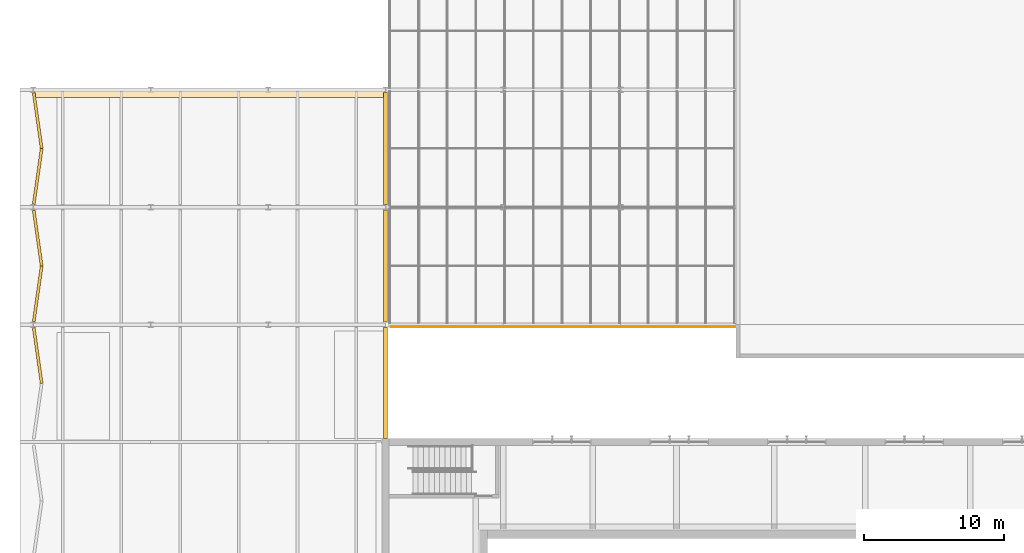
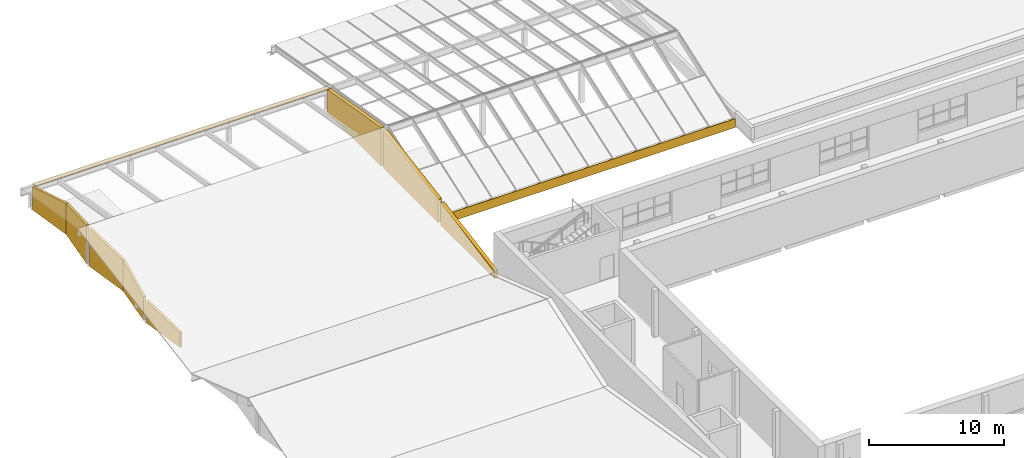
# One storey, part 59 of 60: 10 coverings.
"""IFC4 building model written with IfcOpenShell, lengths in metres."""

from ifc_helpers import new_model, si_unit, direction, frame, origin, place, context, subcontext, project, spatial, polyline, outline, extrude, material, layer, layer_set, type_object, element, save


model = new_model("IFC4")

# Units and contexts
model_context = context("Model", 3, precision=1e-05, world=origin(), true_north=direction((0.0, 1.0)))
body_context = subcontext(model_context, "Body", "Model", "MODEL_VIEW")
ifc_project = project(units=[si_unit("LENGTHUNIT", "METRE"), si_unit("AREAUNIT", "SQUARE_METRE"), si_unit("VOLUMEUNIT", "CUBIC_METRE"), si_unit("PLANEANGLEUNIT", "RADIAN"), si_unit("MASSUNIT", "GRAM", prefix="KILO")], contexts=[model_context])

# Site, building, storey
site_placement = place(None, origin())
site = spatial("IfcSite", under=ifc_project, at=site_placement, CompositionType="ELEMENT")
building_placement = place(site_placement, origin())
building = spatial("IfcBuilding", under=site, at=building_placement, Name="Ljudholm Concert House", CompositionType="ELEMENT")
storey_placement = place(building_placement, frame((0.0, 0.0, 15.0)))
storey = spatial("IfcBuildingStorey", under=building, at=storey_placement, Name="L03", CompositionType="ELEMENT", Elevation=15.0)

# Coverings
ifc_material_1 = material(Name="Aluminium gutter lining", Category="aluminium")
ifc_layer_1 = layer(ifc_material_1, 0.050048828125)
ifc_layer_set_1 = layer_set([ifc_layer_1], Name="Aluminium gutter lining")
covering_type_1 = type_object("IfcCoveringType", Name="ALUMINIUM GUTTER LINING ROOF COVERING 50", PredefinedType="ROOFING", material=ifc_layer_set_1)
covering_1_placement = place(storey_placement, frame((4.050048828125, 121.050048828125, 2.309814453125), z_axis=(0.0, 0.168016479221, 0.985784186681), x_axis=(1.0, 0.0, 0.0)))
element("IfcCovering", 1, at=covering_1_placement, inside=storey, type_object=covering_type_1, Name="Eave gutter", PredefinedType="ROOFING", context=body_context, shape_type="SweptSolid", body=[
    extrude(outline(polyline([(0.0, 0.0), (25.099853515625, 0.0), (25.099853515625, 0.5579809815949696), (0.0, 0.5579809815949696), (0.0, 0.0)])), origin(), (0.0, 0.0, -1.0), 0.050048828125),
])
ifc_material_2 = material(Name="Aluminium panels with timber-grain PVDF finish", Category="aluminium")
ifc_layer_2 = layer(ifc_material_2, 0.199951171875)
ifc_layer_set_2 = layer_set([ifc_layer_2], Name="Aluminium panels with timber-grain PVDF finish")
covering_type_2 = type_object("IfcCoveringType", Name="ALUMINIUM PANELS WITH TIMBER-GRAIN PVDF FINISH CLADDING 200", PredefinedType="CLADDING", material=ifc_layer_set_2)
covering_2_placement = place(storey_placement, frame((4.031005859375, 104.582275390625, -15.0), z_axis=(0.0, 0.0, 1.0), x_axis=(0.141421356235, -0.989949493662, 0.0)))
element("IfcCovering", 2, at=covering_2_placement, inside=storey, type_object=covering_type_2, Name="Gable end cladding", PredefinedType="CLADDING", context=body_context, shape_type="SweptSolid", body=[
    extrude(outline(polyline([(0.0, 15.0), (4.022705078125, 15.0), (4.022705078125, 16.34765625), (0.0, 17.02734375), (0.0, 15.0)])), frame((0.0, 0.10009765625, 0.0), z_axis=(0.0, -1.0, 0.0), x_axis=(1.0, 0.0, 0.0)), (0.0, 0.0, 1.0), 0.199951171875),
])
covering_3_placement = place(storey_placement, frame((4.031005859375, 105.017822265625, -15.0), z_axis=(0.0, 0.0, 1.0), x_axis=(0.141421356235, 0.989949493662, 0.0)))
element("IfcCovering", 3, at=covering_3_placement, inside=storey, type_object=covering_type_2, Name="Gable end cladding", PredefinedType="CLADDING", context=body_context, shape_type="SweptSolid", body=[
    extrude(outline(polyline([(0.0, 15.0), (4.022705078125, 15.0), (4.022705078125, 17.781494140625), (0.0, 17.101806640625), (0.0, 15.0)])), frame((0.0, 0.10009765625, 0.0), z_axis=(0.0, -1.0, 0.0), x_axis=(1.0, 0.0, 0.0)), (0.0, 0.0, 1.0), 0.199951171875),
])
for number, where, z_axis, x_axis, name in (
    (4, (4.031005859375, 112.982177734375, -15.0), (0.0, 0.0, 1.0), (0.141421356235, -0.989949493662, 0.0), "Gable end cladding"),
    (5, (4.031005859375, 113.417724609375, -15.0), (0.0, 0.0, 1.0), (0.141421356235, 0.989949493662, 0.0), "Gable end cladding"),
):
    element("IfcCovering", number, at=place(storey_placement, frame(where, z_axis=z_axis, x_axis=x_axis)), inside=storey, type_object=covering_type_2, Name=name, PredefinedType="CLADDING", context=body_context, shape_type="SweptSolid", body=[
        extrude(outline(polyline([(0.0, 15.0), (4.022705078125, 15.0), (4.022705078125, 17.781494140625), (0.0, 18.46142578125), (0.0, 15.0)])), frame((0.0, 0.10009765625, 0.0), z_axis=(0.0, -1.0, 0.0), x_axis=(1.0, 0.0, 0.0)), (0.0, 0.0, 1.0), 0.199951171875),
    ])
covering_4_placement = place(storey_placement, frame((4.031005859375, 121.38232421875, -15.0), z_axis=(0.0, 0.0, 1.0), x_axis=(0.141421356235, -0.989949493662, 0.0)))
element("IfcCovering", 6, at=covering_4_placement, inside=storey, type_object=covering_type_2, Name="Gable end cladding", PredefinedType="CLADDING", context=body_context, shape_type="SweptSolid", body=[
    extrude(outline(polyline([(0.0, 15.0), (4.022705078125, 15.0), (4.022705078125, 17.781494140625), (0.0, 17.101806640625), (0.0, 15.0)])), frame((0.0, 0.10009765625, 0.0), z_axis=(0.0, -1.0, 0.0), x_axis=(1.0, 0.0, 0.0)), (0.0, 0.0, 1.0), 0.199951171875),
])
ifc_material_3 = material(Name="Aluminium panels with timber-grain PVDF finish", Category="aluminium")
ifc_layer_3 = layer(ifc_material_3, 0.300048828125)
ifc_layer_set_3 = layer_set([ifc_layer_3], Name="Aluminium panels with timber-grain PVDF finish")
covering_type_3 = type_object("IfcCoveringType", Name="ALUMINIUM PANELS WITH TIMBER-GRAIN PVDF FINISH CLADDING 300", PredefinedType="CLADDING", material=ifc_layer_set_3)
covering_5_placement = place(storey_placement, frame((29.199951171875, 96.64990234375, -15.0), z_axis=(0.0, 0.0, 1.0), x_axis=(0.0, 1.0, 0.0)))
element("IfcCovering", 7, at=covering_5_placement, inside=storey, type_object=covering_type_3, Name="Gable end cladding", PredefinedType="CLADDING", context=body_context, shape_type="SweptSolid", body=[
    extrude(outline(polyline([(0.0, 15.0), (7.9599609375, 15.0), (7.9599609375, 17.0322265625), (0.0, 15.67333984375), (0.0, 15.0)])), frame((0.0, 0.14990234375, 0.0), z_axis=(0.0, -1.0, 0.0), x_axis=(1.0, 0.0, 0.0)), (0.0, 0.0, 1.0), 0.300048828125),
])
covering_6_placement = place(storey_placement, frame((29.199951171875, 104.989990234375, -15.0), z_axis=(0.0, 0.0, 1.0), x_axis=(0.0, 1.0, 0.0)))
element("IfcCovering", 8, at=covering_6_placement, inside=storey, type_object=covering_type_3, Name="Gable end cladding", PredefinedType="CLADDING", context=body_context, shape_type="SweptSolid", body=[
    extrude(outline(polyline([(0.0, 15.0), (8.02001953125, 15.0), (8.02001953125, 18.466064453125), (0.0, 17.096923828125), (0.0, 15.0)])), frame((0.0, 0.14990234375, 0.0), z_axis=(0.0, -1.0, 0.0), x_axis=(1.0, 0.0, 0.0)), (0.0, 0.0, 1.0), 0.300048828125),
])
covering_7_placement = place(storey_placement, frame((29.199951171875, 113.389892578125, -15.0), z_axis=(0.0, 0.0, 1.0), x_axis=(0.0, 1.0, 0.0)))
element("IfcCovering", 9, at=covering_7_placement, inside=storey, type_object=covering_type_3, Name="Gable end cladding", PredefinedType="CLADDING", context=body_context, shape_type="SweptSolid", body=[
    extrude(outline(polyline([(0.0, 15.0), (8.02001953125, 15.0), (8.02001953125, 17.096923828125), (0.0, 18.466064453125), (0.0, 15.0)])), frame((0.0, 0.14990234375, 0.0), z_axis=(0.0, -1.0, 0.0), x_axis=(1.0, 0.0, 0.0)), (0.0, 0.0, 1.0), 0.300048828125),
])
ifc_material_4 = material(Name="Aluminium panels with timber-grain PVDF finish", Category="aluminium")
ifc_layer_4 = layer(ifc_material_4, 0.800048828125)
ifc_layer_set_4 = layer_set([ifc_layer_4], Name="Aluminium panels with timber-grain PVDF finish")
covering_type_4 = type_object("IfcCoveringType", Name="ALUMINIUM PANELS WITH TIMBER-GRAIN PVDF FINISH CLADDING 800", PredefinedType="CLADDING", material=ifc_layer_set_4)
covering_8_placement = place(storey_placement, origin())
element("IfcCovering", 10, at=covering_8_placement, inside=storey, type_object=covering_type_4, Name="Eave fascia", PredefinedType="CLADDING", context=body_context, shape_type="SweptSolid", body=[
    extrude(outline(polyline([(29.550048828125, 104.625), (54.199951171875, 104.625), (54.199951171875, 104.68505859375), (29.550048828125, 104.68505859375), (29.550048828125, 104.625)])), origin(), (0.0, 0.0, 1.0), 0.800048828125),
])

save(model, "model.ifc")
